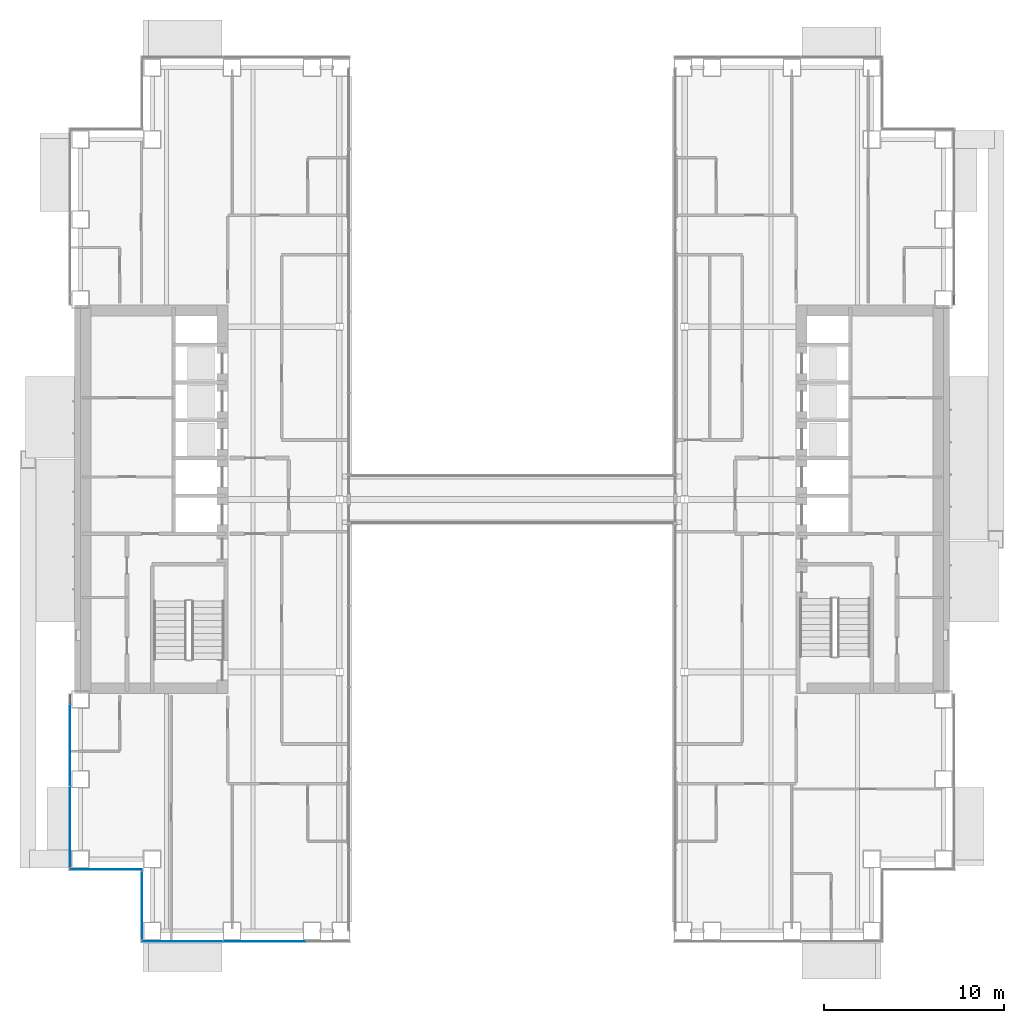
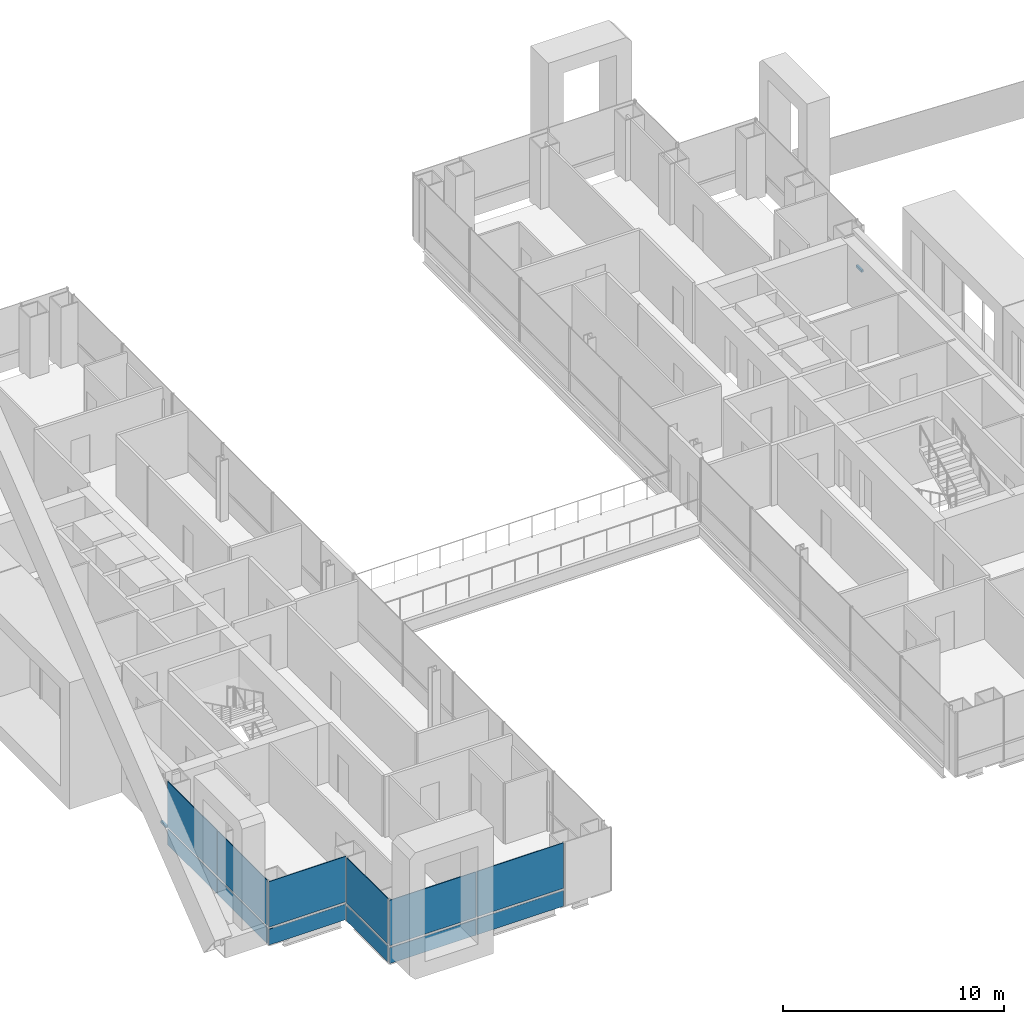
# One storey, part 11 of 26: 12 plates, 2 members, 5 elements without a shape of their own.
"""IFC4 building model written with IfcOpenShell, lengths in metres."""

from ifc_helpers import new_model, si_unit, direction, frame, origin, origin_2d, place, context, subcontext, project, spatial, rectangle, extrude, material, layer, layer_set, material_profile, profile_set, type_object, element, aggregate, save


model = new_model("IFC4")

# Units and contexts
model_context = context("Model", 3, precision=1e-05, world=origin(), true_north=direction((0.0, 1.0)))
body_context = subcontext(model_context, "Body", "Model", "MODEL_VIEW")
ifc_project = project(units=[si_unit("LENGTHUNIT", "METRE"), si_unit("AREAUNIT", "SQUARE_METRE"), si_unit("VOLUMEUNIT", "CUBIC_METRE"), si_unit("PLANEANGLEUNIT", "RADIAN"), si_unit("MASSUNIT", "GRAM", prefix="KILO")], contexts=[model_context])

# Site, building, storey
site_placement = place(None, origin())
site = spatial("IfcSite", under=ifc_project, at=site_placement, CompositionType="ELEMENT")
building_placement = place(site_placement, origin())
building = spatial("IfcBuilding", under=site, at=building_placement, Name="Cobrizo Arcos Hotel Tower", CompositionType="ELEMENT")
storey_placement = place(building_placement, frame((0.0, 0.0, 67.0)))
storey = spatial("IfcBuildingStorey", under=building, at=storey_placement, Name="L15", CompositionType="ELEMENT", Elevation=67.0)

# Curtain wall, member
ifc_material_1 = material(Name="Aluminium 6063-T6 anodised bronze", Category="aluminium")
curtain_wall_type = type_object("IfcCurtainWallType", Name="CW-A guest facade", PredefinedType="NOTDEFINED", material=ifc_material_1)
curtain_wall_1_placement = place(storey_placement, origin())
curtain_wall_1 = element("IfcCurtainWall", 1, at=curtain_wall_1_placement, inside=storey, type_object=curtain_wall_type, Name="CW-A L15 E face", PredefinedType="NOTDEFINED")
ifc_material_profile = material_profile(ifc_material_1, rectangle(XDim=0.10009765625, YDim=0.1201171875, at=origin_2d()), Name="CW-A transom 120x100")
ifc_profile_set = profile_set([ifc_material_profile], Name="Aluminium 6063-T6 anodised bronze")
member_type = type_object("IfcMemberType", Name="CW-A transom 120x100", PredefinedType="USERDEFINED", material=ifc_profile_set)
member_1_placement = place(storey_placement, frame((24.574951171875, 10.860107421875, 0.929931640625), z_axis=(0.0, 1.0, 0.0), x_axis=(-1.0, 0.0, 0.0)))
member_1 = element("IfcMember", 2, at=member_1_placement, type_object=member_type, Name="CW-A transom 664", ObjectType="TRANSOM", PredefinedType="USERDEFINED", context=body_context, shape_type="SweptSolid", body=[
    extrude(rectangle(XDim=0.10009765625, YDim=0.1201171875, at=origin_2d()), origin(), (0.0, 0.0, 1.0), 0.498779296875),
])
aggregate(curtain_wall_1, [member_1])

curtain_wall_2_placement = place(storey_placement, origin())
curtain_wall_2 = element("IfcCurtainWall", 3, at=curtain_wall_2_placement, inside=storey, type_object=curtain_wall_type, Name="CW-A L15 W face", PredefinedType="NOTDEFINED")
member_2_placement = place(storey_placement, frame((-24.574951171875, -10.860107421875, 0.929931640625), z_axis=(0.0, -1.0, 0.0), x_axis=(1.0, 0.0, 0.0)))
member_2 = element("IfcMember", 4, at=member_2_placement, type_object=member_type, Name="CW-A transom 680", ObjectType="TRANSOM", PredefinedType="USERDEFINED", context=body_context, shape_type="SweptSolid", body=[
    extrude(rectangle(XDim=0.10009765625, YDim=0.1201171875, at=origin_2d()), origin(), (0.0, 0.0, 1.0), 0.498779296875),
])

# Curtain wall, plates
curtain_wall_3_placement = place(storey_placement, origin())
curtain_wall_3 = element("IfcCurtainWall", 5, at=curtain_wall_3_placement, inside=storey, type_object=curtain_wall_type, Name="CW-A L15 S face", PredefinedType="NOTDEFINED")
ifc_material_2 = material(Name="Glass clear laminated low-e", Category="glass")
ifc_layer_1 = layer(ifc_material_2, 0.0400390625)
ifc_layer_set_1 = layer_set([ifc_layer_1], Name="CW-A glass panel")
plate_type_1 = type_object("IfcPlateType", Name="CW-A glass panel", PredefinedType="CURTAIN_PANEL", material=ifc_layer_set_1)
plate_1_placement = place(storey_placement, frame((-18.340576171875, -24.574951171875, 0.990234375), z_axis=(0.0, 0.0, 1.0), x_axis=(1.0, 0.0, 0.0)))
plate_1 = element("IfcPlate", 6, at=plate_1_placement, type_object=plate_type_1, Name="CW-A glass panel 653", PredefinedType="CURTAIN_PANEL", context=body_context, shape_type="SweptSolid", body=[
    extrude(rectangle(XDim=4.498779296875, YDim=0.0400390625, at=origin_2d()), origin(), (0.0, 0.0, 1.0), 2.510009765625),
])
plate_2_placement = place(storey_placement, frame((-13.7666015625, -24.574951171875, 0.990234375), z_axis=(0.0, 0.0, 1.0), x_axis=(1.0, 0.0, 0.0)))
plate_2 = element("IfcPlate", 7, at=plate_2_placement, type_object=plate_type_1, Name="CW-A glass panel 654", PredefinedType="CURTAIN_PANEL", context=body_context, shape_type="SweptSolid", body=[
    extrude(rectangle(XDim=4.52880859375, YDim=0.0400390625, at=origin_2d()), origin(), (0.0, 0.0, 1.0), 2.510009765625),
])

# Plate
plate_3_placement = place(storey_placement, frame((-24.574951171875, -13.666748046875, 0.990234375), z_axis=(0.0, 0.0, 1.0), x_axis=(0.0, -1.0, 0.0)))
plate_3 = element("IfcPlate", 8, at=plate_3_placement, type_object=plate_type_1, Name="CW-A glass panel 681", PredefinedType="CURTAIN_PANEL", context=body_context, shape_type="SweptSolid", body=[
    extrude(rectangle(XDim=4.49560546875, YDim=0.0400390625, at=origin_2d()), origin(), (0.0, 0.0, 1.0), 2.510009765625),
])

plate_4_placement = place(storey_placement, frame((-24.574951171875, -18.207275390625, 0.990234375), z_axis=(0.0, 0.0, 1.0), x_axis=(0.0, -1.0, 0.0)))
plate_4 = element("IfcPlate", 9, at=plate_4_placement, type_object=plate_type_1, Name="CW-A glass panel 682", PredefinedType="CURTAIN_PANEL", context=body_context, shape_type="SweptSolid", body=[
    extrude(rectangle(XDim=4.465576171875, YDim=0.0400390625, at=origin_2d()), origin(), (0.0, 0.0, 1.0), 2.510009765625),
])

# Curtain wall, plate
curtain_wall_4_placement = place(storey_placement, origin())
curtain_wall_4 = element("IfcCurtainWall", 10, at=curtain_wall_4_placement, inside=storey, type_object=curtain_wall_type, Name="CW-A L15 S face", PredefinedType="NOTDEFINED")
plate_5_placement = place(storey_placement, frame((-22.574951171875, -20.574951171875, 0.990234375), z_axis=(0.0, 0.0, 1.0), x_axis=(1.0, 0.0, 0.0)))
plate_5 = element("IfcPlate", 11, at=plate_5_placement, type_object=plate_type_1, Name="CW-A glass panel 683", PredefinedType="CURTAIN_PANEL", context=body_context, shape_type="SweptSolid", body=[
    extrude(rectangle(XDim=4.030029296875, YDim=0.0400390625, at=origin_2d()), origin(), (0.0, 0.0, 1.0), 2.510009765625),
])

curtain_wall_5_placement = place(storey_placement, origin())
curtain_wall_5 = element("IfcCurtainWall", 12, at=curtain_wall_5_placement, inside=storey, type_object=curtain_wall_type, Name="CW-A L15 W face", PredefinedType="NOTDEFINED")
plate_6_placement = place(storey_placement, frame((-20.574951171875, -22.574951171875, 0.990234375), z_axis=(0.0, 0.0, 1.0), x_axis=(0.0, -1.0, 0.0)))
plate_6 = element("IfcPlate", 13, at=plate_6_placement, type_object=plate_type_1, Name="CW-A glass panel 684", PredefinedType="CURTAIN_PANEL", context=body_context, shape_type="SweptSolid", body=[
    extrude(rectangle(XDim=3.72998046875, YDim=0.0400390625, at=origin_2d()), origin(), (0.0, 0.0, 1.0), 2.510009765625),
])

# Plate
ifc_material_3 = material(Name="Aluminium composite panel pale metal", Category="aluminium")
ifc_layer_2 = layer(ifc_material_3, 0.0400390625)
ifc_layer_set_2 = layer_set([ifc_layer_2], Name="CW-A spandrel panel")
plate_type_2 = type_object("IfcPlateType", Name="CW-A spandrel panel", PredefinedType="CURTAIN_PANEL", material=ifc_layer_set_2)
plate_7_placement = place(storey_placement, frame((-18.340576171875, -24.574951171875, 0.0), z_axis=(0.0, 0.0, 1.0), x_axis=(1.0, 0.0, 0.0)))
plate_7 = element("IfcPlate", 14, at=plate_7_placement, type_object=plate_type_2, Name="CW-A spandrel panel 653", PredefinedType="CURTAIN_PANEL", context=body_context, shape_type="SweptSolid", body=[
    extrude(rectangle(XDim=4.498779296875, YDim=0.0400390625, at=origin_2d()), origin(), (0.0, 0.0, 1.0), 0.8701171875),
])

plate_8_placement = place(storey_placement, frame((-13.7666015625, -24.574951171875, 0.0), z_axis=(0.0, 0.0, 1.0), x_axis=(1.0, 0.0, 0.0)))
plate_8 = element("IfcPlate", 15, at=plate_8_placement, type_object=plate_type_2, Name="CW-A spandrel panel 654", PredefinedType="CURTAIN_PANEL", context=body_context, shape_type="SweptSolid", body=[
    extrude(rectangle(XDim=4.52880859375, YDim=0.0400390625, at=origin_2d()), origin(), (0.0, 0.0, 1.0), 0.8701171875),
])

aggregate(curtain_wall_3, [plate_7, plate_1, plate_8, plate_2])

plate_9_placement = place(storey_placement, frame((-24.574951171875, -13.666748046875, 0.0), z_axis=(0.0, 0.0, 1.0), x_axis=(0.0, -1.0, 0.0)))
plate_9 = element("IfcPlate", 16, at=plate_9_placement, type_object=plate_type_2, Name="CW-A spandrel panel 681", PredefinedType="CURTAIN_PANEL", context=body_context, shape_type="SweptSolid", body=[
    extrude(rectangle(XDim=4.49560546875, YDim=0.0400390625, at=origin_2d()), origin(), (0.0, 0.0, 1.0), 0.8701171875),
])

plate_10_placement = place(storey_placement, frame((-24.574951171875, -18.207275390625, 0.0), z_axis=(0.0, 0.0, 1.0), x_axis=(0.0, -1.0, 0.0)))
plate_10 = element("IfcPlate", 17, at=plate_10_placement, type_object=plate_type_2, Name="CW-A spandrel panel 682", PredefinedType="CURTAIN_PANEL", context=body_context, shape_type="SweptSolid", body=[
    extrude(rectangle(XDim=4.465576171875, YDim=0.0400390625, at=origin_2d()), origin(), (0.0, 0.0, 1.0), 0.8701171875),
])

aggregate(curtain_wall_2, [member_2, plate_9, plate_3, plate_10, plate_4])

plate_11_placement = place(storey_placement, frame((-22.574951171875, -20.574951171875, 0.0), z_axis=(0.0, 0.0, 1.0), x_axis=(1.0, 0.0, 0.0)))
plate_11 = element("IfcPlate", 18, at=plate_11_placement, type_object=plate_type_2, Name="CW-A spandrel panel 683", PredefinedType="CURTAIN_PANEL", context=body_context, shape_type="SweptSolid", body=[
    extrude(rectangle(XDim=4.030029296875, YDim=0.0400390625, at=origin_2d()), origin(), (0.0, 0.0, 1.0), 0.8701171875),
])

aggregate(curtain_wall_4, [plate_11, plate_5])

plate_12_placement = place(storey_placement, frame((-20.574951171875, -22.574951171875, 0.0), z_axis=(0.0, 0.0, 1.0), x_axis=(0.0, -1.0, 0.0)))
plate_12 = element("IfcPlate", 19, at=plate_12_placement, type_object=plate_type_2, Name="CW-A spandrel panel 684", PredefinedType="CURTAIN_PANEL", context=body_context, shape_type="SweptSolid", body=[
    extrude(rectangle(XDim=3.72998046875, YDim=0.0400390625, at=origin_2d()), origin(), (0.0, 0.0, 1.0), 0.8701171875),
])

aggregate(curtain_wall_5, [plate_12, plate_6])

save(model, "model.ifc")
